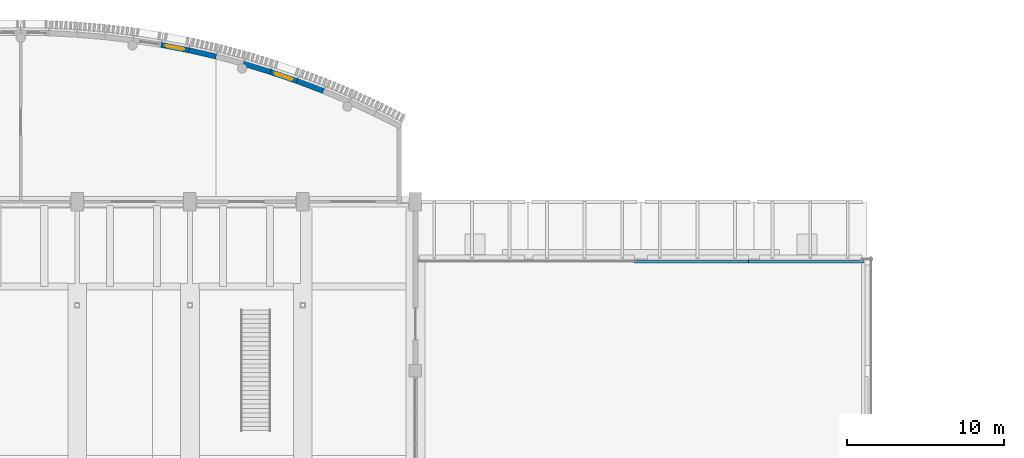
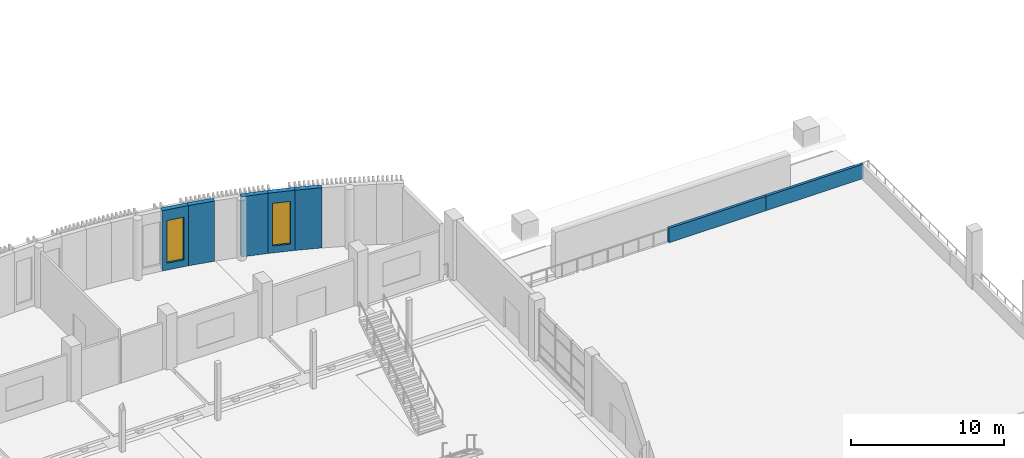
# One storey, part 63 of 82: 7 walls, 2 windows, 2 openings.
"""IFC4 building model written with IfcOpenShell, lengths in metres."""

from ifc_helpers import new_model, si_unit, direction, frame, frame_2d, origin, place, context, subcontext, project, spatial, polyline, rectangle, outline, extrude, material, layer, layer_set, type_object, element, fill, save


model = new_model("IFC4")

# Units and contexts
model_context = context("Model", 3, precision=1e-05, world=origin(), true_north=direction((0.0, 1.0)))
body_context = subcontext(model_context, "Body", "Model", "MODEL_VIEW")
ifc_project = project(units=[si_unit("LENGTHUNIT", "METRE"), si_unit("AREAUNIT", "SQUARE_METRE"), si_unit("VOLUMEUNIT", "CUBIC_METRE"), si_unit("PLANEANGLEUNIT", "RADIAN"), si_unit("MASSUNIT", "GRAM", prefix="KILO")], contexts=[model_context])

# Site, building, storey
site_placement = place(None, origin())
site = spatial("IfcSite", under=ifc_project, at=site_placement, CompositionType="ELEMENT")
building_placement = place(site_placement, origin())
building = spatial("IfcBuilding", under=site, at=building_placement, Name="Sardonyx Promenade Sports Hall", CompositionType="ELEMENT")
storey_placement = place(building_placement, frame((0.0, 0.0, 11.199951171875)))
storey = spatial("IfcBuildingStorey", under=building, at=storey_placement, Name="L02", CompositionType="ELEMENT", Elevation=11.199951171875)

# Wall, opening, window
ifc_material_1 = material(Name="Concrete C40/50", Category="concrete")
ifc_layer_1 = layer(ifc_material_1, 0.340087890625)
ifc_layer_set_1 = layer_set([ifc_layer_1], Name="Wall_Bow_Arc_340")
wall_type_1 = type_object("IfcWallType", Name="Wall_Bow_Arc_340", PredefinedType="SOLIDWALL", material=ifc_layer_set_1)
wall_1_placement = place(storey_placement, frame((62.95556640625, 114.423095703125, 0.0), z_axis=(0.0, 0.0, 1.0), x_axis=(0.981913462005, -0.189330275271, 0.0)))
wall_1 = element("IfcWall", 1, at=wall_1_placement, inside=storey, type_object=wall_type_1, Name="Bowed promenade wall EW07 L02 CH20", PredefinedType="SOLIDWALL", context=body_context, shape_type="SweptSolid", body=[
    extrude(outline(polyline([(0.002943, -0.17), (1.797057, -0.17), (1.802942, 0.17), (-0.002943, 0.17), (0.002943, -0.17)])), origin(), (0.0, 0.0, 1.0), 4.800048828125),
])
opening_1_placement = place(wall_1_placement, frame((0.31005859375, 0.0, 0.550048828125)))
opening_1 = element("IfcOpeningElement", 2, at=opening_1_placement, cuts=wall_1, Name="Opening W24", PredefinedType="OPENING", context=body_context, shape_type="SweptSolid", body=[
    extrude(rectangle(XDim=1.179931640625, YDim=3.39990234375, at=frame_2d((0.58984375, 1.699951171875))), frame((0.0, 0.18, 0.0), z_axis=(0.0, -1.0, 0.0), x_axis=(1.0, 0.0, 0.0)), (0.0, 0.0, 1.0), 0.36),
])
ifc_material_2 = material(Name="Double-glazed solar low-E aluminium window", Category="aluminium")
window_type = type_object("IfcWindowType", Name="Win_Bow_Upper", PartitioningType="SINGLE_PANEL", PredefinedType="WINDOW", material=ifc_material_2)
window_1_placement = place(opening_1_placement, origin())
window_1 = element("IfcWindow", 3, at=window_1_placement, inside=storey, type_object=window_type, Name="Harbour daylight bay window W24 L02 CH20", OverallHeight=3.39990234375, OverallWidth=1.179931640625, PartitioningType="SINGLE_PANEL", PredefinedType="WINDOW", context=body_context, shape_type="SweptSolid", body=[
    extrude(rectangle(XDim=1.179931640625, YDim=3.39990234375, at=frame_2d((0.58984375, 1.699951171875))), frame((0.0, 0.030029296875, 0.0), z_axis=(0.0, -1.0, 0.0), x_axis=(1.0, 0.0, 0.0)), (0.0, 0.0, 1.0), 0.06005859375),
])
fill(opening_1, window_1)

# Walls
wall_2_placement = place(storey_placement, frame((64.72314453125, 114.082275390625, 0.0), z_axis=(0.0, 0.0, 1.0), x_axis=(0.974791962114, -0.223115733641, 0.0)))
element("IfcWall", 4, at=wall_2_placement, inside=storey, type_object=wall_type_1, Name="Bowed promenade wall EW07 L02 CH21", PredefinedType="SOLIDWALL", context=body_context, shape_type="SweptSolid", body=[
    extrude(outline(polyline([(0.002943, -0.17), (1.797057, -0.17), (1.802943, 0.17), (-0.002943, 0.17), (0.002943, -0.17)])), origin(), (0.0, 0.0, 1.0), 4.800048828125),
])
wall_3_placement = place(storey_placement, frame((68.21728515625, 113.21875, 0.0), z_axis=(0.0, 0.0, 1.0), x_axis=(0.956993600338, -0.290109029354, 0.0)))
element("IfcWall", 5, at=wall_3_placement, inside=storey, type_object=wall_type_1, Name="Bowed promenade wall EW07 L02 CH23", PredefinedType="SOLIDWALL", context=body_context, shape_type="SweptSolid", body=[
    extrude(outline(polyline([(0.002943, -0.17), (1.797057, -0.17), (1.802942, 0.17), (-0.002943, 0.17), (0.002943, -0.17)])), origin(), (0.0, 0.0, 1.0), 4.800048828125),
])

# Wall, opening, window
wall_4_placement = place(storey_placement, frame((69.93994140625, 112.696533203125, 0.0), z_axis=(0.0, 0.0, 1.0), x_axis=(0.946421657721, -0.322933500578, 0.0)))
wall_4 = element("IfcWall", 6, at=wall_4_placement, inside=storey, type_object=wall_type_1, Name="Bowed promenade wall EW07 L02 CH24", PredefinedType="SOLIDWALL", context=body_context, shape_type="SweptSolid", body=[
    extrude(outline(polyline([(0.002943, -0.17), (1.797057, -0.17), (1.802942, 0.17), (-0.002943, 0.17), (0.002943, -0.17)])), origin(), (0.0, 0.0, 1.0), 4.800048828125),
])
opening_2_placement = place(wall_4_placement, frame((0.31005859375, 0.0, 0.550048828125)))
opening_2 = element("IfcOpeningElement", 7, at=opening_2_placement, cuts=wall_4, Name="Opening W24", PredefinedType="OPENING", context=body_context, shape_type="SweptSolid", body=[
    extrude(rectangle(XDim=1.179931640625, YDim=3.39990234375, at=frame_2d((0.58984375, 1.699951171875))), frame((0.0, 0.18, 0.0), z_axis=(0.0, -1.0, 0.0), x_axis=(1.0, 0.0, 0.0)), (0.0, 0.0, 1.0), 0.36),
])
window_2_placement = place(opening_2_placement, origin())
window_2 = element("IfcWindow", 8, at=window_2_placement, inside=storey, type_object=window_type, Name="Harbour daylight bay window W24 L02 CH24", OverallHeight=3.39990234375, OverallWidth=1.179931640625, PartitioningType="SINGLE_PANEL", PredefinedType="WINDOW", context=body_context, shape_type="SweptSolid", body=[
    extrude(rectangle(XDim=1.179931640625, YDim=3.39990234375, at=frame_2d((0.58984375, 1.699951171875))), frame((0.0, 0.030029296875, 0.0), z_axis=(0.0, -1.0, 0.0), x_axis=(1.0, 0.0, 0.0)), (0.0, 0.0, 1.0), 0.06005859375),
])
fill(opening_2, window_2)

# Walls
wall_5_placement = place(storey_placement, frame((71.6435546875, 112.115234375, 0.0), z_axis=(0.0, 0.0, 1.0), x_axis=(0.934674543416, -0.35550456803, 0.0)))
element("IfcWall", 9, at=wall_5_placement, inside=storey, type_object=wall_type_1, Name="Bowed promenade wall EW07 L02 CH25", PredefinedType="SOLIDWALL", context=body_context, shape_type="SweptSolid", body=[
    extrude(outline(polyline([(0.002943, -0.17), (1.797057, -0.17), (1.802943, 0.17), (-0.002943, 0.17), (0.002943, -0.17)])), origin(), (0.0, 0.0, 1.0), 4.800048828125),
])
ifc_material_3 = material(Name="Masonry sandstone coping", Category="masonry")
ifc_layer_2 = layer(ifc_material_3, 0.199951171875)
ifc_layer_set_2 = layer_set([ifc_layer_2], Name="Wall_Parapet_Garden_200")
wall_type_2 = type_object("IfcWallType", Name="Wall_Parapet_Garden_200", PredefinedType="PARAPET", material=ifc_layer_set_2)
wall_6_placement = place(storey_placement, frame((93.14990234375, 100.60009765625, 0.0), z_axis=(0.0, 0.0, 1.0), x_axis=(1.0, 0.0, 0.0)))
element("IfcWall", 10, at=wall_6_placement, inside=storey, type_object=wall_type_2, Name="Roof parapet PP03 L02 #1", PredefinedType="PARAPET", context=body_context, shape_type="SweptSolid", body=[
    extrude(rectangle(XDim=7.3251953125, YDim=0.199951171875, at=frame_2d((3.66259765625, 0.0))), origin(), (0.0, 0.0, 1.0), 1.150146484375),
])
wall_7_placement = place(storey_placement, frame((100.47509765625, 100.60009765625, 0.0), z_axis=(0.0, 0.0, 1.0), x_axis=(1.0, 0.0, 0.0)))
element("IfcWall", 11, at=wall_7_placement, inside=storey, type_object=wall_type_2, Name="Roof parapet PP03 L02 #2", PredefinedType="PARAPET", context=body_context, shape_type="SweptSolid", body=[
    extrude(rectangle(XDim=7.324951171875, YDim=0.199951171875, at=frame_2d((3.66259765625, 0.0))), origin(), (0.0, 0.0, 1.0), 1.150146484375),
])

save(model, "model.ifc")
